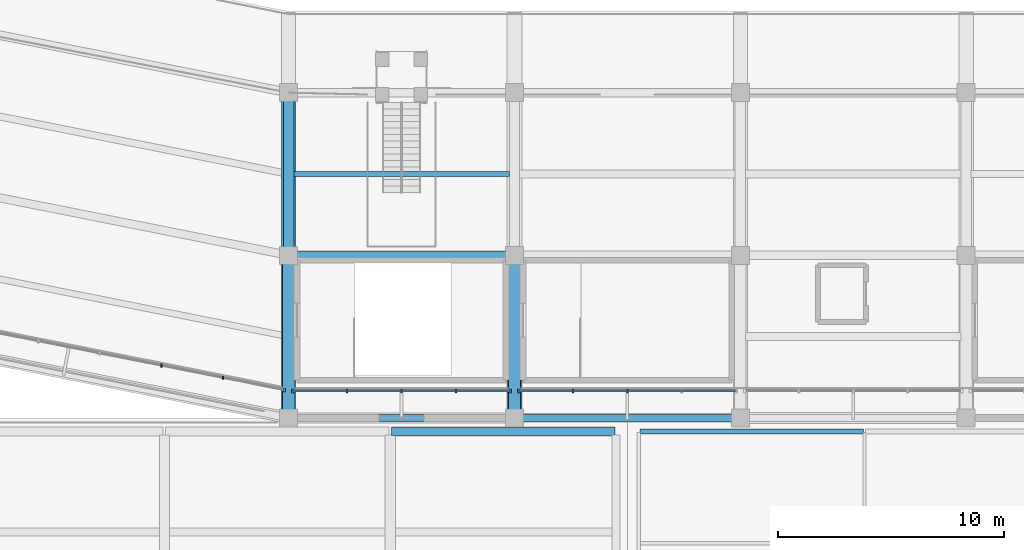
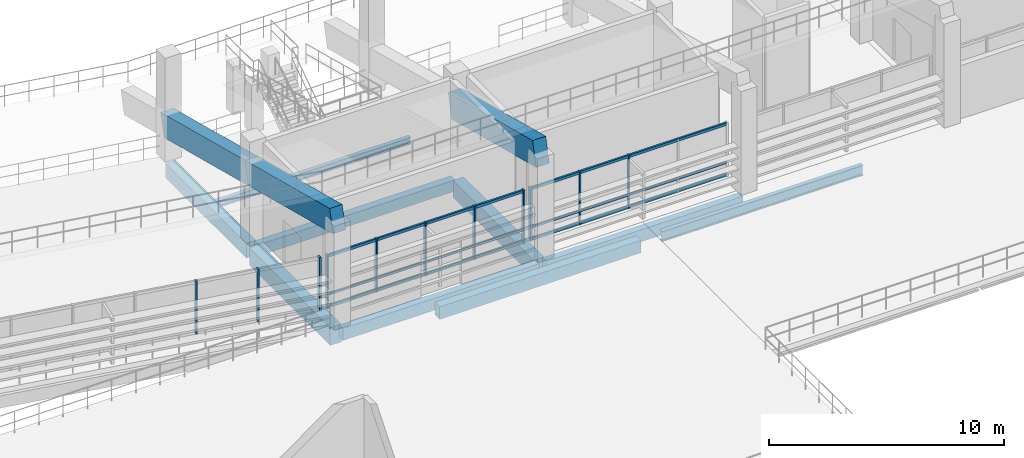
# One storey, part 13 of 96: 17 members, 12 beams, 3 elements without a shape of their own.
"""IFC4 building model written with IfcOpenShell, lengths in metres."""

from ifc_helpers import new_model, si_unit, direction, frame, origin, origin_2d, place, context, subcontext, project, spatial, rectangle, i_section, extrude, material, material_profile, profile_set, type_object, element, aggregate, save


model = new_model("IFC4")

# Units and contexts
model_context = context("Model", 3, precision=1e-05, world=origin(), true_north=direction((0.0, 1.0)))
body_context = subcontext(model_context, "Body", "Model", "MODEL_VIEW")
ifc_project = project(units=[si_unit("LENGTHUNIT", "METRE"), si_unit("AREAUNIT", "SQUARE_METRE"), si_unit("VOLUMEUNIT", "CUBIC_METRE"), si_unit("PLANEANGLEUNIT", "RADIAN"), si_unit("MASSUNIT", "GRAM", prefix="KILO")], contexts=[model_context])

# Site, building, storey
site_placement = place(None, origin())
site = spatial("IfcSite", under=ifc_project, at=site_placement, CompositionType="ELEMENT")
building_placement = place(site_placement, origin())
building = spatial("IfcBuilding", under=site, at=building_placement, Name="Candeia Ridge Stadium", CompositionType="ELEMENT")
storey_placement = place(building_placement, frame((0.0, 0.0, 21.60009765625)))
storey = spatial("IfcBuildingStorey", under=building, at=storey_placement, Name="L04", CompositionType="ELEMENT", Elevation=21.60009765625)

# Beam
ifc_material_1 = material(Name="Steel ASTM A572 Grade 50", Category="steel")
ifc_material_profile_1 = material_profile(ifc_material_1, i_section(OverallWidth=0.205078125, OverallDepth=0.35400390625, WebThickness=0.009521484375, FlangeThickness=0.016845703125, FilletRadius=0.014892578125, at=origin_2d()), Name="W360x79", Category="steel")
ifc_profile_set_1 = profile_set([ifc_material_profile_1], Name="Steel ASTM A572 Grade 50")
beam_type_1 = type_object("IfcBeamType", Name="Concourse Secondary Joist W360x79", PredefinedType="JOIST", material=ifc_profile_set_1)
beam_1_placement = place(storey_placement, frame((71.221923828125, 29.800048828125, -0.43701171875), z_axis=(1.0, 0.0, 0.0), x_axis=(0.0, 1.0, 0.0)))
element("IfcBeam", 1, at=beam_1_placement, inside=storey, type_object=beam_type_1, Name="Concourse secondary joist BM-L04-0881", PredefinedType="JOIST", context=body_context, shape_type="SweptSolid", body=[
    extrude(i_section(OverallWidth=0.205078125, OverallDepth=0.35400390625, WebThickness=0.009521484375, FlangeThickness=0.016845703125, FilletRadius=0.014892578125, at=origin_2d()), origin(), (0.0, 0.0, 1.0), 9.55615234375),
])

# Curtain wall, member
ifc_material_2 = material(Name="Aluminium Anodized Warm Bronze", Category="aluminium")
curtain_wall_type = type_object("IfcCurtainWallType", Name="Concourse Recessed Unitised Curtain Wall", PredefinedType="NOTDEFINED", material=ifc_material_2)
curtain_wall_1_placement = place(storey_placement, origin())
curtain_wall_1 = element("IfcCurtainWall", 2, at=curtain_wall_1_placement, inside=storey, type_object=curtain_wall_type, Name="Unitised curtain wall CW-BWL-L04-17", PredefinedType="NOTDEFINED")
ifc_material_profile_2 = material_profile(ifc_material_2, rectangle(XDim=0.090087890625, YDim=0.179931640625, at=origin_2d()), Name="CWM-90x180", Category="aluminium")
ifc_profile_set_2 = profile_set([ifc_material_profile_2], Name="Aluminium Anodized Warm Bronze")
member_type_1 = type_object("IfcMemberType", Name="Curtain Wall Primary Mullion 90x180", PredefinedType="MULLION", material=ifc_profile_set_2)
member_1_placement = place(storey_placement, frame((70.823486328125, 20.235107421875, 0.0), z_axis=(0.0, 0.0, 1.0), x_axis=(1.0, 0.0, 0.0)))
member_1 = element("IfcMember", 3, at=member_1_placement, type_object=member_type_1, Name="Curtain wall mullion CW-BWL-L04-17-M7", PredefinedType="MULLION", context=body_context, shape_type="SweptSolid", body=[
    extrude(rectangle(XDim=0.090087890625, YDim=0.179931640625, at=origin_2d()), origin(), (0.0, 0.0, 1.0), 2.772216796875),
])

# Curtain wall, members
curtain_wall_2_placement = place(storey_placement, origin())
curtain_wall_2 = element("IfcCurtainWall", 4, at=curtain_wall_2_placement, inside=storey, type_object=curtain_wall_type, Name="Unitised curtain wall CW-BWL-L04-18", PredefinedType="NOTDEFINED")
member_2_placement = place(storey_placement, frame((71.179931640625, 20.199951171875, 0.0), z_axis=(0.0, 0.0, 1.0), x_axis=(1.0, 0.0, 0.0)))
member_2 = element("IfcMember", 5, at=member_2_placement, type_object=member_type_1, Name="Curtain wall mullion CW-BWL-L04-18-M0", PredefinedType="MULLION", context=body_context, shape_type="SweptSolid", body=[
    extrude(rectangle(XDim=0.090087890625, YDim=0.179931640625, at=origin_2d()), origin(), (0.0, 0.0, 1.0), 2.772216796875),
])
member_3_placement = place(storey_placement, frame((80.820068359375, 20.199951171875, 0.0), z_axis=(0.0, 0.0, 1.0), x_axis=(1.0, 0.0, 0.0)))
member_3 = element("IfcMember", 6, at=member_3_placement, type_object=member_type_1, Name="Curtain wall mullion CW-BWL-L04-18-M4", PredefinedType="MULLION", context=body_context, shape_type="SweptSolid", body=[
    extrude(rectangle(XDim=0.090087890625, YDim=0.179931640625, at=origin_2d()), origin(), (0.0, 0.0, 1.0), 2.772216796875),
])

# Curtain wall, member
curtain_wall_3_placement = place(storey_placement, origin())
curtain_wall_3 = element("IfcCurtainWall", 7, at=curtain_wall_3_placement, inside=storey, type_object=curtain_wall_type, Name="Unitised curtain wall CW-BWL-L04-19", PredefinedType="NOTDEFINED")
member_4_placement = place(storey_placement, frame((81.179931640625, 20.199951171875, 0.0), z_axis=(0.0, 0.0, 1.0), x_axis=(1.0, 0.0, 0.0)))
member_4 = element("IfcMember", 8, at=member_4_placement, type_object=member_type_1, Name="Curtain wall mullion CW-BWL-L04-19-M0", PredefinedType="MULLION", context=body_context, shape_type="SweptSolid", body=[
    extrude(rectangle(XDim=0.090087890625, YDim=0.179931640625, at=origin_2d()), origin(), (0.0, 0.0, 1.0), 2.772216796875),
])

# Member
ifc_material_profile_3 = material_profile(ifc_material_2, rectangle(XDim=0.074951171875, YDim=0.14990234375, at=origin_2d()), Name="CWM-75x150", Category="aluminium")
ifc_profile_set_3 = profile_set([ifc_material_profile_3], Name="Aluminium Anodized Warm Bronze")
member_type_2 = type_object("IfcMemberType", Name="Curtain Wall Secondary Mullion 75x150", PredefinedType="MULLION", material=ifc_profile_set_3)
member_5_placement = place(storey_placement, frame((65.3701171875, 21.31982421875, 0.0), z_axis=(0.0, 0.0, 1.0), x_axis=(1.0, 0.0, 0.0)))
member_5 = element("IfcMember", 9, at=member_5_placement, type_object=member_type_2, Name="Curtain wall mullion CW-BWL-L04-17-M5", PredefinedType="MULLION", context=body_context, shape_type="SweptSolid", body=[
    extrude(rectangle(XDim=0.074951171875, YDim=0.14990234375, at=origin_2d()), origin(), (0.0, 0.0, 1.0), 2.772216796875),
])

member_6_placement = place(storey_placement, frame((68.0966796875, 20.777587890625, 0.0), z_axis=(0.0, 0.0, 1.0), x_axis=(1.0, 0.0, 0.0)))
member_6 = element("IfcMember", 10, at=member_6_placement, type_object=member_type_2, Name="Curtain wall mullion CW-BWL-L04-17-M6", PredefinedType="MULLION", context=body_context, shape_type="SweptSolid", body=[
    extrude(rectangle(XDim=0.074951171875, YDim=0.14990234375, at=origin_2d()), origin(), (0.0, 0.0, 1.0), 2.772216796875),
])

aggregate(curtain_wall_1, [member_5, member_6, member_1])

member_7_placement = place(storey_placement, frame((73.590087890625, 20.199951171875, 0.0), z_axis=(0.0, 0.0, 1.0), x_axis=(1.0, 0.0, 0.0)))
member_7 = element("IfcMember", 11, at=member_7_placement, type_object=member_type_2, Name="Curtain wall mullion CW-BWL-L04-18-M1", PredefinedType="MULLION", context=body_context, shape_type="SweptSolid", body=[
    extrude(rectangle(XDim=0.074951171875, YDim=0.14990234375, at=origin_2d()), origin(), (0.0, 0.0, 1.0), 2.772216796875),
])

member_8_placement = place(storey_placement, frame((76.0, 20.199951171875, 0.0), z_axis=(0.0, 0.0, 1.0), x_axis=(1.0, 0.0, 0.0)))
member_8 = element("IfcMember", 12, at=member_8_placement, type_object=member_type_2, Name="Curtain wall mullion CW-BWL-L04-18-M2", PredefinedType="MULLION", context=body_context, shape_type="SweptSolid", body=[
    extrude(rectangle(XDim=0.074951171875, YDim=0.14990234375, at=origin_2d()), origin(), (0.0, 0.0, 1.0), 2.772216796875),
])

member_9_placement = place(storey_placement, frame((78.409912109375, 20.199951171875, 0.0), z_axis=(0.0, 0.0, 1.0), x_axis=(1.0, 0.0, 0.0)))
member_9 = element("IfcMember", 13, at=member_9_placement, type_object=member_type_2, Name="Curtain wall mullion CW-BWL-L04-18-M3", PredefinedType="MULLION", context=body_context, shape_type="SweptSolid", body=[
    extrude(rectangle(XDim=0.074951171875, YDim=0.14990234375, at=origin_2d()), origin(), (0.0, 0.0, 1.0), 2.772216796875),
])

member_10_placement = place(storey_placement, frame((83.590087890625, 20.199951171875, 0.0), z_axis=(0.0, 0.0, 1.0), x_axis=(1.0, 0.0, 0.0)))
member_10 = element("IfcMember", 14, at=member_10_placement, type_object=member_type_2, Name="Curtain wall mullion CW-BWL-L04-19-M1", PredefinedType="MULLION", context=body_context, shape_type="SweptSolid", body=[
    extrude(rectangle(XDim=0.074951171875, YDim=0.14990234375, at=origin_2d()), origin(), (0.0, 0.0, 1.0), 2.772216796875),
])

member_11_placement = place(storey_placement, frame((86.0, 20.199951171875, 0.0), z_axis=(0.0, 0.0, 1.0), x_axis=(1.0, 0.0, 0.0)))
member_11 = element("IfcMember", 15, at=member_11_placement, type_object=member_type_2, Name="Curtain wall mullion CW-BWL-L04-19-M2", PredefinedType="MULLION", context=body_context, shape_type="SweptSolid", body=[
    extrude(rectangle(XDim=0.074951171875, YDim=0.14990234375, at=origin_2d()), origin(), (0.0, 0.0, 1.0), 2.772216796875),
])

ifc_material_profile_4 = material_profile(ifc_material_2, rectangle(XDim=0.074951171875, YDim=0.110107421875, at=origin_2d()), Name="CWT-75x110", Category="aluminium")
ifc_profile_set_4 = profile_set([ifc_material_profile_4], Name="Aluminium Anodized Warm Bronze")
member_type_3 = type_object("IfcMemberType", Name="Curtain Wall Secondary Transom 75x110", PredefinedType="USERDEFINED", material=ifc_profile_set_4)
member_12_placement = place(storey_placement, frame((71.179931640625, 20.199951171875, 0.693115234375), z_axis=(1.0, 0.0, 0.0), x_axis=(0.0, 1.0, 0.0)))
member_12 = element("IfcMember", 16, at=member_12_placement, type_object=member_type_3, Name="Curtain wall transom CW-BWL-L04-18-T1", ObjectType="TRANSOM", PredefinedType="USERDEFINED", context=body_context, shape_type="SweptSolid", body=[
    extrude(rectangle(XDim=0.074951171875, YDim=0.110107421875, at=origin_2d()), origin(), (0.0, 0.0, 1.0), 9.64013671875),
])

member_13_placement = place(storey_placement, frame((81.179931640625, 20.199951171875, 0.693115234375), z_axis=(1.0, 0.0, 0.0), x_axis=(0.0, 1.0, 0.0)))
member_13 = element("IfcMember", 17, at=member_13_placement, type_object=member_type_3, Name="Curtain wall transom CW-BWL-L04-19-T1", ObjectType="TRANSOM", PredefinedType="USERDEFINED", context=body_context, shape_type="SweptSolid", body=[
    extrude(rectangle(XDim=0.074951171875, YDim=0.110107421875, at=origin_2d()), origin(), (0.0, 0.0, 1.0), 9.64013671875),
])

ifc_material_profile_5 = material_profile(ifc_material_2, rectangle(XDim=0.090087890625, YDim=0.139892578125, at=origin_2d()), Name="CWT-90x140", Category="aluminium")
ifc_profile_set_5 = profile_set([ifc_material_profile_5], Name="Aluminium Anodized Warm Bronze")
member_type_4 = type_object("IfcMemberType", Name="Curtain Wall Transom 90x140", PredefinedType="USERDEFINED", material=ifc_profile_set_5)
member_14_placement = place(storey_placement, frame((71.179931640625, 20.199951171875, 0.06982421875), z_axis=(1.0, 0.0, 0.0), x_axis=(0.0, 1.0, 0.0)))
member_14 = element("IfcMember", 18, at=member_14_placement, type_object=member_type_4, Name="Curtain wall transom CW-BWL-L04-18-T0", ObjectType="TRANSOM", PredefinedType="USERDEFINED", context=body_context, shape_type="SweptSolid", body=[
    extrude(rectangle(XDim=0.090087890625, YDim=0.139892578125, at=origin_2d()), origin(), (0.0, 0.0, 1.0), 9.64013671875),
])

member_15_placement = place(storey_placement, frame((71.179931640625, 20.199951171875, 2.7021484375), z_axis=(1.0, 0.0, 0.0), x_axis=(0.0, 1.0, 0.0)))
member_15 = element("IfcMember", 19, at=member_15_placement, type_object=member_type_4, Name="Curtain wall transom CW-BWL-L04-18-T2", ObjectType="TRANSOM", PredefinedType="USERDEFINED", context=body_context, shape_type="SweptSolid", body=[
    extrude(rectangle(XDim=0.090087890625, YDim=0.139892578125, at=origin_2d()), origin(), (0.0, 0.0, 1.0), 9.64013671875),
])

aggregate(curtain_wall_2, [member_2, member_7, member_8, member_9, member_3, member_14, member_12, member_15])

member_16_placement = place(storey_placement, frame((81.179931640625, 20.199951171875, 0.06982421875), z_axis=(1.0, 0.0, 0.0), x_axis=(0.0, 1.0, 0.0)))
member_16 = element("IfcMember", 20, at=member_16_placement, type_object=member_type_4, Name="Curtain wall transom CW-BWL-L04-19-T0", ObjectType="TRANSOM", PredefinedType="USERDEFINED", context=body_context, shape_type="SweptSolid", body=[
    extrude(rectangle(XDim=0.090087890625, YDim=0.139892578125, at=origin_2d()), origin(), (0.0, 0.0, 1.0), 9.64013671875),
])

member_17_placement = place(storey_placement, frame((81.179931640625, 20.199951171875, 2.7021484375), z_axis=(1.0, 0.0, 0.0), x_axis=(0.0, 1.0, 0.0)))
member_17 = element("IfcMember", 21, at=member_17_placement, type_object=member_type_4, Name="Curtain wall transom CW-BWL-L04-19-T2", ObjectType="TRANSOM", PredefinedType="USERDEFINED", context=body_context, shape_type="SweptSolid", body=[
    extrude(rectangle(XDim=0.090087890625, YDim=0.139892578125, at=origin_2d()), origin(), (0.0, 0.0, 1.0), 9.64013671875),
])

aggregate(curtain_wall_3, [member_4, member_10, member_11, member_16, member_13, member_17])

# Beams
ifc_material_3 = material(Name="Concrete C40/50", Category="concrete")
ifc_material_profile_6 = material_profile(ifc_material_3, rectangle(XDim=0.360107421875, YDim=0.580078125, at=origin_2d()), Name="RC360x580", Category="concrete")
ifc_profile_set_6 = profile_set([ifc_material_profile_6], Name="Concrete C40/50")
beam_type_2 = type_object("IfcBeamType", Name="Frame Girder RC360x580", PredefinedType="BEAM", material=ifc_profile_set_6)
beam_2_placement = place(storey_placement, frame((71.159912109375, 26.199951171875, -0.550048828125), z_axis=(1.0, 0.0, 0.0), x_axis=(0.0, 1.0, 0.0)))
element("IfcBeam", 22, at=beam_2_placement, inside=storey, type_object=beam_type_2, Name="Concourse spine girder BM-L04-0879", PredefinedType="BEAM", context=body_context, shape_type="SweptSolid", body=[
    extrude(rectangle(XDim=0.360107421875, YDim=0.580078125, at=origin_2d()), origin(), (0.0, 0.0, 1.0), 9.68017578125),
])
ifc_material_profile_7 = material_profile(ifc_material_3, rectangle(XDim=0.469970703125, YDim=0.760009765625, at=origin_2d()), Name="RC470x760", Category="concrete")
ifc_profile_set_7 = profile_set([ifc_material_profile_7], Name="Concrete C40/50")
beam_type_3 = type_object("IfcBeamType", Name="Frame Girder RC470x760", PredefinedType="BEAM", material=ifc_profile_set_7)
beam_3_placement = place(storey_placement, frame((71.0, 33.239990234375, -0.64013671875), z_axis=(0.0, -1.0, 0.0), x_axis=(1.0, 0.0, 0.0)))
element("IfcBeam", 23, at=beam_3_placement, inside=storey, type_object=beam_type_3, Name="Bowl radial girder BM-L04-0757", PredefinedType="BEAM", context=body_context, shape_type="SweptSolid", body=[
    extrude(rectangle(XDim=0.469970703125, YDim=0.760009765625, at=origin_2d()), origin(), (0.0, 0.0, 1.0), 6.8798828125),
])
ifc_material_4 = material(Name="Concrete C45/55", Category="concrete")
ifc_material_profile_8 = material_profile(ifc_material_4, rectangle(XDim=0.52001953125, YDim=0.8798828125, at=origin_2d()), Name="RC520x880", Category="concrete")
ifc_profile_set_8 = profile_set([ifc_material_profile_8], Name="Concrete C45/55")
beam_type_4 = type_object("IfcBeamType", Name="Frame Girder RC520x880", PredefinedType="BEAM", material=ifc_profile_set_8)
beam_4_placement = place(storey_placement, frame((81.0, 26.0400390625, -0.7001953125), z_axis=(0.0, -1.0, 0.0), x_axis=(1.0, 0.0, 0.0)))
element("IfcBeam", 24, at=beam_4_placement, inside=storey, type_object=beam_type_4, Name="Bowl radial girder BM-L04-0760", PredefinedType="BEAM", context=body_context, shape_type="SweptSolid", body=[
    extrude(rectangle(XDim=0.52001953125, YDim=0.8798828125, at=origin_2d()), origin(), (0.0, 0.0, 1.0), 6.880126953125),
])
ifc_material_profile_9 = material_profile(ifc_material_4, rectangle(XDim=0.550048828125, YDim=0.919921875, at=origin_2d()), Name="RC550x920", Category="concrete")
ifc_profile_set_9 = profile_set([ifc_material_profile_9], Name="Concrete C45/55")
beam_type_5 = type_object("IfcBeamType", Name="Frame Girder RC550x920", PredefinedType="BEAM", material=ifc_profile_set_9)
beam_5_placement = place(storey_placement, frame((71.0, 26.0400390625, -0.72021484375), z_axis=(0.0, -1.0, 0.0), x_axis=(1.0, 0.0, 0.0)))
element("IfcBeam", 25, at=beam_5_placement, inside=storey, type_object=beam_type_5, Name="Bowl radial girder BM-L04-0758", PredefinedType="BEAM", context=body_context, shape_type="SweptSolid", body=[
    extrude(rectangle(XDim=0.550048828125, YDim=0.919921875, at=origin_2d()), origin(), (0.0, 0.0, 1.0), 6.880126953125),
])
ifc_material_profile_10 = material_profile(ifc_material_1, i_section(OverallWidth=0.208984375, OverallDepth=0.532958984375, WebThickness=0.01025390625, FlangeThickness=0.015625, FilletRadius=0.013916015625, at=origin_2d()), Name="W530x92", Category="steel")
ifc_profile_set_10 = profile_set([ifc_material_profile_10], Name="Steel ASTM A572 Grade 50")
beam_type_6 = type_object("IfcBeamType", Name="Gate Portal Girder W530x92", PredefinedType="BEAM", material=ifc_profile_set_10)
beam_6_placement = place(storey_placement, frame((86.550048828125, 18.39990234375, -0.546630859375), z_axis=(1.0, 0.0, 0.0), x_axis=(0.0, 1.0, 0.0)))
element("IfcBeam", 26, at=beam_6_placement, inside=storey, type_object=beam_type_6, Name="Structural girder BM-L04-2535", PredefinedType="BEAM", context=body_context, shape_type="SweptSolid", body=[
    extrude(i_section(OverallWidth=0.208984375, OverallDepth=0.532958984375, WebThickness=0.01025390625, FlangeThickness=0.015625, FilletRadius=0.013916015625, at=origin_2d()), origin(), (0.0, 0.0, 1.0), 9.89990234375),
])
ifc_material_profile_11 = material_profile(ifc_material_3, rectangle(XDim=0.320068359375, YDim=0.6201171875, at=origin_2d()), Name="RC320x620", Category="concrete")
ifc_profile_set_11 = profile_set([ifc_material_profile_11], Name="Concrete C40/50")
beam_type_7 = type_object("IfcBeamType", Name="Spandrel Beam RC320x620", PredefinedType="SPANDREL", material=ifc_profile_set_11)
for number, where, z_axis, x_axis, name in (
    (27, (71.159912109375, 19.0, -0.570068359375), (1.0, 0.0, 0.0), (0.0, 1.0, 0.0), "Bowl perimeter spandrel BM-L04-0880"),
    (28, (81.159912109375, 19.0, -0.570068359375), (1.0, 0.0, 0.0), (0.0, 1.0, 0.0), "Bowl perimeter spandrel BM-L04-0884"),
):
    element("IfcBeam", number, at=place(storey_placement, frame(where, z_axis=z_axis, x_axis=x_axis)), inside=storey, type_object=beam_type_7, Name=name, PredefinedType="SPANDREL", context=body_context, shape_type="SweptSolid", body=[
        extrude(rectangle(XDim=0.320068359375, YDim=0.6201171875, at=origin_2d()), origin(), (0.0, 0.0, 1.0), 9.68017578125),
    ])
ifc_material_profile_12 = material_profile(ifc_material_4, rectangle(XDim=0.6201171875, YDim=1.179931640625, at=origin_2d()), Name="RC620x1180", Category="concrete")
ifc_profile_set_12 = profile_set([ifc_material_profile_12], Name="Concrete C45/55")
beam_type_8 = type_object("IfcBeamType", Name="Stand Raker Beam RC620x1180", PredefinedType="USERDEFINED", material=ifc_profile_set_12)
beam_7_placement = place(storey_placement, frame((71.0, 33.39990234375, 1.66796875), z_axis=(0.0, -0.968083084121, 0.250629491956), x_axis=(1.0, 0.0, 0.0)))
element("IfcBeam", 29, at=beam_7_placement, inside=storey, type_object=beam_type_8, Name="Stand T3 inner raker beam 19", ObjectType="RAKER", PredefinedType="USERDEFINED", context=body_context, shape_type="SweptSolid", body=[
    extrude(rectangle(XDim=0.6201171875, YDim=1.179931640625, at=origin_2d()), origin(), (0.0, 0.0, 1.0), 7.437255859375),
])
beam_8_placement = place(storey_placement, frame((71.0, 26.199951171875, 3.531982421875), z_axis=(0.0, -0.968067153083, 0.250691019229), x_axis=(1.0, 0.0, 0.0)))
element("IfcBeam", 30, at=beam_8_placement, inside=storey, type_object=beam_type_8, Name="Stand T3 outer raker beam 19", ObjectType="RAKER", PredefinedType="USERDEFINED", context=body_context, shape_type="SweptSolid", body=[
    extrude(rectangle(XDim=0.6201171875, YDim=1.179931640625, at=origin_2d()), origin(), (0.0, 0.0, 1.0), 7.4375),
])
ifc_material_profile_13 = material_profile(ifc_material_4, rectangle(XDim=0.64990234375, YDim=1.25, at=origin_2d()), Name="RC650x1250", Category="concrete")
ifc_profile_set_13 = profile_set([ifc_material_profile_13], Name="Concrete C45/55")
beam_type_9 = type_object("IfcBeamType", Name="Stand Raker Beam RC650x1250", PredefinedType="USERDEFINED", material=ifc_profile_set_13)
beam_9_placement = place(storey_placement, frame((81.0, 26.199951171875, 3.531982421875), z_axis=(0.0, -0.968067153083, 0.250691019229), x_axis=(1.0, 0.0, 0.0)))
element("IfcBeam", 31, at=beam_9_placement, inside=storey, type_object=beam_type_9, Name="Stand T3 outer raker beam 20", ObjectType="RAKER", PredefinedType="USERDEFINED", context=body_context, shape_type="SweptSolid", body=[
    extrude(rectangle(XDim=0.64990234375, YDim=1.25, at=origin_2d()), origin(), (0.0, 0.0, 1.0), 7.4375),
])
ifc_material_profile_14 = material_profile(ifc_material_3, rectangle(XDim=0.39990234375, YDim=0.64990234375, at=origin_2d()), Name="RC400x650", Category="concrete")
ifc_profile_set_14 = profile_set([ifc_material_profile_14], Name="Concrete C40/50")
beam_type_10 = type_object("IfcBeamType", Name="Wing Primary Girder RC400x650", PredefinedType="BEAM", material=ifc_profile_set_14)
beam_10_placement = place(storey_placement, frame((75.550048828125, 18.39990234375, -0.60498046875), z_axis=(1.0, 0.0, 0.0), x_axis=(0.0, 1.0, 0.0)))
element("IfcBeam", 32, at=beam_10_placement, inside=storey, type_object=beam_type_10, Name="Structural girder BM-L04-2487", PredefinedType="BEAM", context=body_context, shape_type="SweptSolid", body=[
    extrude(rectangle(XDim=0.39990234375, YDim=0.64990234375, at=origin_2d()), origin(), (0.0, 0.0, 1.0), 9.89990234375),
])

save(model, "model.ifc")
